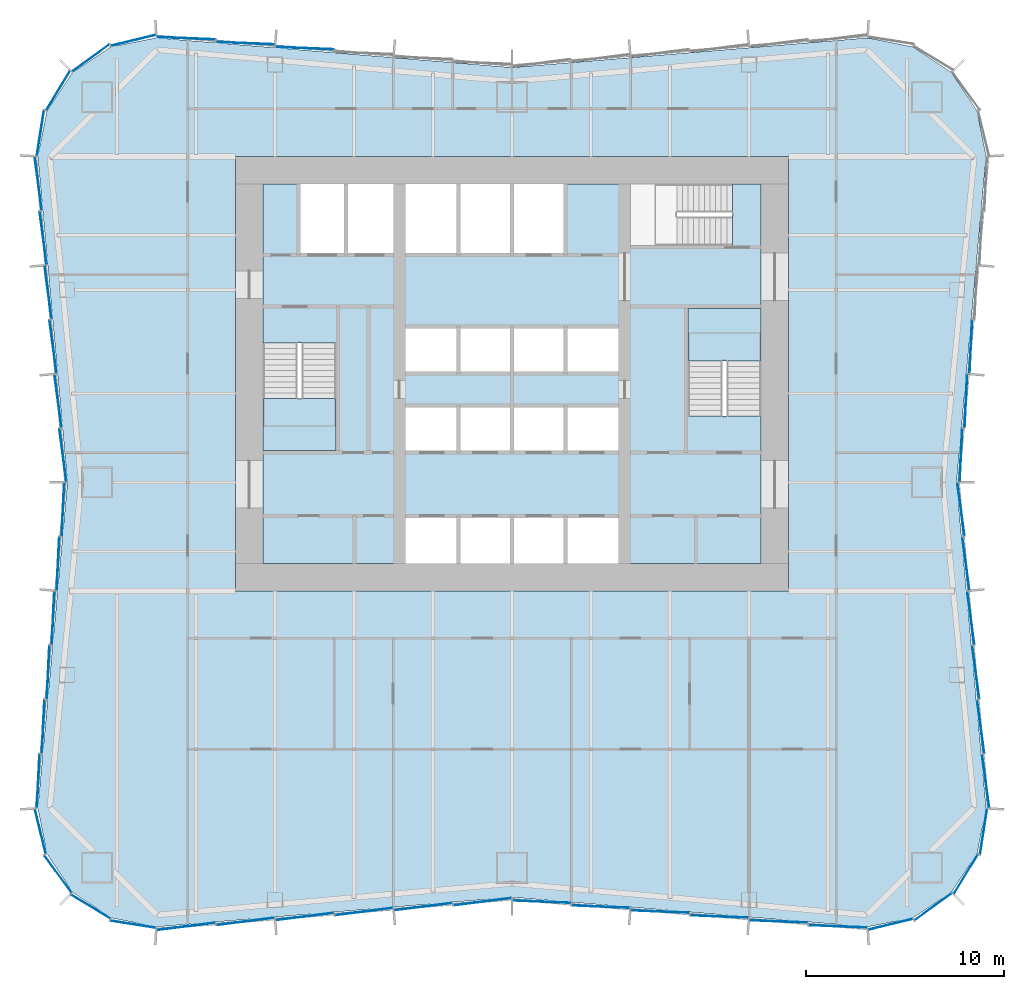
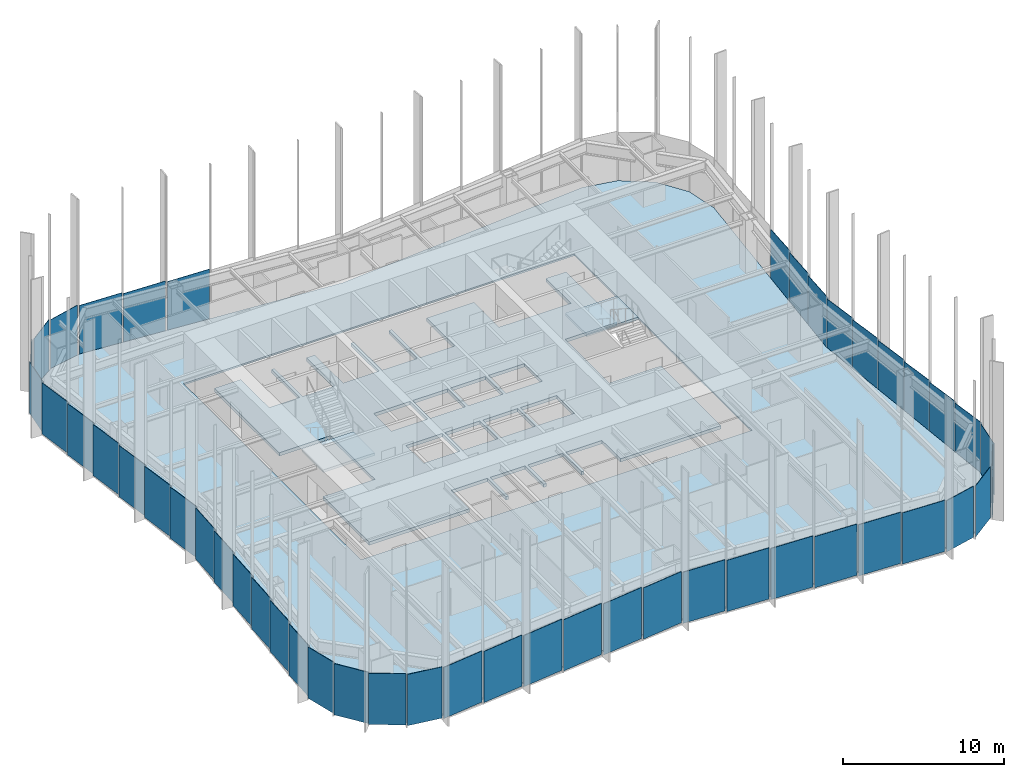
# One storey, part 8 of 13: 48 plates, 4 slabs, 9 elements without a shape of their own.
"""IFC4 building model written with IfcOpenShell, lengths in metres."""

import ifcopenshell
import ifcopenshell.guid

model = None  # the IFC model being written
_history = None  # IfcOwnerHistory: only IFC2X3 demands one
_inside = {}  # id of a spatial element -> (the spatial element, [elements in it])
_under = {}  # id of a project, library or spatial element -> (it, [spatial elements below it])
_declared = {}  # id of a project -> (the project, [libraries it declares])
_typed = {}  # id of a type object -> (the type object, [elements of that type])
_made_of = {}  # id of a material, layer set ... -> (it, [elements and type objects made of it])


def new_model(schema):
    """Start an empty IFC model of exactly this schema.

    Asked for "IFC4X3", IfcOpenShell would pick the latest addendum, in which some entities
    have other attributes; the version numbers below select the first issue.
    IFC2X3 requires an IfcOwnerHistory on every rooted entity: one is made here for all.
    """
    global model, _history
    if schema == "IFC4X3":
        model = ifcopenshell.file(schema_version=(4, 3, 0, 0))
    else:
        model = ifcopenshell.file(schema=schema)
    _inside.clear()
    _under.clear()
    _declared.clear()
    _typed.clear()
    _made_of.clear()
    _history = None
    if model.schema == "IFC2X3":
        org = make("IfcOrganization", Name="unknown")
        user = make(
            "IfcPersonAndOrganization",
            ThePerson=make("IfcPerson", FamilyName="unknown"),
            TheOrganization=org,
        )
        app = make(
            "IfcApplication",
            ApplicationDeveloper=org,
            Version="unknown",
            ApplicationFullName="unknown",
            ApplicationIdentifier="unknown",
        )
        _history = make(
            "IfcOwnerHistory",
            OwningUser=user,
            OwningApplication=app,
            ChangeAction="ADDED",
            CreationDate=0,
        )
    return model


def make(cls, **values):
    """One entity of the class cls with the attributes given. An attribute that is None is left unset."""
    return model.create_entity(
        cls, **{name: value for name, value in values.items() if value is not None}
    )


def rooted(cls, **values):
    """An entity with a GlobalId (a new one), such as an element, a storey or a relation."""
    return make(cls, GlobalId=ifcopenshell.guid.new(), OwnerHistory=_history, **values)


def si_unit(unit_type, name, prefix=None):
    """IfcSIUnit, for example si_unit("LENGTHUNIT", "METRE", prefix="MILLI")."""
    return make("IfcSIUnit", UnitType=unit_type, Prefix=prefix, Name=name)


def assignment(units):
    """IfcUnitAssignment: the units of a project."""
    return None if units is None else make("IfcUnitAssignment", Units=units)


def point(xyz):
    """IfcCartesianPoint."""
    return None if xyz is None else make("IfcCartesianPoint", Coordinates=xyz)


def direction(xyz):
    """IfcDirection."""
    return None if xyz is None else make("IfcDirection", DirectionRatios=xyz)


def frame(location, z_axis=None, x_axis=None):
    """IfcAxis2Placement3D, a coordinate frame: its origin and axes. An axis left out is left unset."""
    return make(
        "IfcAxis2Placement3D",
        Location=point(location),
        Axis=direction(z_axis),
        RefDirection=direction(x_axis),
    )


def frame_2d(location, x_axis=None):
    """IfcAxis2Placement2D, a coordinate frame in the plane: its origin and x axis."""
    return make(
        "IfcAxis2Placement2D", Location=point(location), RefDirection=direction(x_axis)
    )


def origin():
    """The frame at (0, 0, 0) with its axes left unset."""
    return frame((0.0, 0.0, 0.0))


def origin_2d():
    """The frame at (0, 0) in the plane with its x axis left unset."""
    return frame_2d((0.0, 0.0))


def place(relative_to, where):
    """IfcLocalPlacement: puts the frame where relative to a parent placement (None: the world)."""
    return make(
        "IfcLocalPlacement", PlacementRelTo=relative_to, RelativePlacement=where
    )


def context(
    kind, dimensions, precision=None, world=None, true_north=None, identifier=None
):
    """IfcGeometricRepresentationContext, for example the 3D "Model" context."""
    return make(
        "IfcGeometricRepresentationContext",
        ContextIdentifier=identifier,
        ContextType=kind,
        CoordinateSpaceDimension=dimensions,
        Precision=precision,
        WorldCoordinateSystem=world,
        TrueNorth=true_north,
    )


def subcontext(parent, identifier, kind, view, scale=None):
    """IfcGeometricRepresentationSubContext, for example "Body" below "Model"."""
    return make(
        "IfcGeometricRepresentationSubContext",
        ContextIdentifier=identifier,
        ContextType=kind,
        ParentContext=parent,
        TargetScale=scale,
        TargetView=view,
    )


def project(units=None, contexts=None):
    """IfcProject with its units and contexts."""
    return rooted(
        "IfcProject",
        Name="project",
        RepresentationContexts=contexts,
        UnitsInContext=assignment(units),
    )


def spatial(cls, under=None, at=None, **own):
    """A site, building, storey or space (cls), placed at a placement, below another one or the project."""
    s = rooted(cls, ObjectPlacement=at, **own)
    if under is not None:
        _under.setdefault(under.id(), (under, []))[1].append(s)
    return s


def polyline(points):
    """IfcPolyline through the points."""
    return make("IfcPolyline", Points=[point(p) for p in points])


def profile(cls, at=None, kind="AREA", **sizes):
    """A parametric profile (cls). Its sizes go by their IFC names, for example OverallWidth=200.0."""
    return make(cls, ProfileType=kind, Position=at, **sizes)


def rectangle(**sizes):
    """IfcRectangleProfileDef."""
    return profile("IfcRectangleProfileDef", **sizes)


def outline(outer, holes=None, kind="AREA"):
    """IfcArbitraryClosedProfileDef: a profile drawn as a closed curve; with holes, ...WithVoids."""
    if holes is None:
        return make("IfcArbitraryClosedProfileDef", ProfileType=kind, OuterCurve=outer)
    return make(
        "IfcArbitraryProfileDefWithVoids",
        ProfileType=kind,
        OuterCurve=outer,
        InnerCurves=holes,
    )


def extrude(swept, where, along, depth):
    """IfcExtrudedAreaSolid: the profile swept, set in the frame where, extruded along a direction by depth."""
    return make(
        "IfcExtrudedAreaSolid",
        SweptArea=swept,
        Position=where,
        ExtrudedDirection=direction(along),
        Depth=depth,
    )


def shape(context_of_items, identifier, shape_type, items):
    """IfcShapeRepresentation: the items that make up one representation, for example the "Body"."""
    return make(
        "IfcShapeRepresentation",
        ContextOfItems=context_of_items,
        RepresentationIdentifier=identifier,
        RepresentationType=shape_type,
        Items=items,
    )


def material(Name=None, Category=None):
    """IfcMaterial."""
    return make("IfcMaterial", Name=Name, Category=Category)


def layer(
    of_material, thickness, ventilated=None, Name=None, Category=None, Priority=None
):
    """IfcMaterialLayer: one layer of a wall or slab, of a material (None: an air gap)."""
    return make(
        "IfcMaterialLayer",
        Material=of_material,
        LayerThickness=thickness,
        IsVentilated=ventilated,
        Name=Name,
        Category=Category,
        Priority=Priority,
    )


def layer_set(layers, Name=None):
    """IfcMaterialLayerSet."""
    return make("IfcMaterialLayerSet", MaterialLayers=layers, LayerSetName=Name)


def made_of(thing, what):
    """Note that an element or type object is made of a material, layer set ...; save() writes the relation."""
    if what is not None:
        _made_of.setdefault(what.id(), (what, []))[1].append(thing)
    return thing


def type_object(cls, material=None, **own):
    """A type object (cls), such as IfcWallType, which elements share."""
    return made_of(rooted(cls, **own), material)


def element(
    cls,
    number,
    at=None,
    inside=None,
    cuts=None,
    type_object=None,
    material=None,
    context=None,
    identifier="Body",
    shape_type=None,
    held_by="IfcProductDefinitionShape",
    body=None,
    shapes=None,
    **own,
):
    """One element of the class cls, such as IfcWall. Its Tag is "e" and its number.

    at: its placement. inside: the storey or other place that contains it. cuts: it is an
    opening in that element (IfcRelVoidsElement). A single representation is given by context,
    identifier, shape_type and body (its items); several are given by shapes. held_by: the class
    of the entity that holds the representations. save() writes the other relations.
    """
    e = rooted(cls, Tag="e%d" % number, ObjectPlacement=at, **own)
    if body is not None:
        shapes = [shape(context, identifier, shape_type, body)]
    if shapes is not None:
        e.Representation = make(held_by, Representations=shapes)
    if inside is not None:
        _inside.setdefault(inside.id(), (inside, []))[1].append(e)
    if cuts is not None:
        rooted(
            "IfcRelVoidsElement", RelatingBuildingElement=cuts, RelatedOpeningElement=e
        )
    if type_object is not None:
        _typed.setdefault(type_object.id(), (type_object, []))[1].append(e)
    return made_of(e, material)


def aggregate(whole, parts):
    """IfcRelAggregates: a whole, such as a stair, and the parts it consists of."""
    return rooted("IfcRelAggregates", RelatingObject=whole, RelatedObjects=parts)


def save(model, path):
    """Write the relations noted so far, then the file.

    IfcRelAggregates (storeys below a building ...), IfcRelContainedInSpatialStructure (elements
    in a storey), IfcRelDefinesByType, IfcRelAssociatesMaterial and IfcRelDeclares: one each for
    every whole, place, type object, material and project.
    """
    for whole, parts in _under.values():
        aggregate(whole, parts)
    for where, things in _inside.values():
        rooted(
            "IfcRelContainedInSpatialStructure",
            RelatedElements=things,
            RelatingStructure=where,
        )
    for kind, things in _typed.values():
        rooted("IfcRelDefinesByType", RelatedObjects=things, RelatingType=kind)
    for what, things in _made_of.values():
        rooted("IfcRelAssociatesMaterial", RelatedObjects=things, RelatingMaterial=what)
    for by, libraries in _declared.values():
        rooted("IfcRelDeclares", RelatingContext=by, RelatedDefinitions=libraries)
    model.write(path)


model = new_model("IFC4")

# Units and contexts
model_context = context("Model", 3, precision=1e-05, world=origin(), true_north=direction((0.0, 1.0)))
body_context = subcontext(model_context, "Body", "Model", "MODEL_VIEW")
ifc_project = project(units=[si_unit("LENGTHUNIT", "METRE"), si_unit("AREAUNIT", "SQUARE_METRE"), si_unit("VOLUMEUNIT", "CUBIC_METRE"), si_unit("PLANEANGLEUNIT", "RADIAN"), si_unit("MASSUNIT", "GRAM", prefix="KILO")], contexts=[model_context])

# Site, building, storey
site_placement = place(None, origin())
site = spatial("IfcSite", under=ifc_project, at=site_placement, CompositionType="ELEMENT")
building_placement = place(site_placement, origin())
building = spatial("IfcBuilding", under=site, at=building_placement, Name="Verdant Reach Tower", CompositionType="ELEMENT")
storey_placement = place(building_placement, frame((0.0, 0.0, 38.0)))
storey = spatial("IfcBuildingStorey", under=building, at=storey_placement, Name="L08", CompositionType="ELEMENT", Elevation=38.0)

# Stair, slab
ifc_material_1 = material(Name="Concrete C40/50", Category="concrete")
stair_type = type_object("IfcStairType", Name="CO-STAIR", PredefinedType="HALF_TURN_STAIR", material=ifc_material_1)
stair_1_placement = place(storey_placement, origin())
stair_1 = element("IfcStair", 1, at=stair_1_placement, inside=storey, type_object=stair_type, Name="L08 Exit stair 1", PredefinedType="HALF_TURN_STAIR")
ifc_layer_1 = layer(ifc_material_1, 0.199951171875)
ifc_layer_set_1 = layer_set([ifc_layer_1], Name="CO-STAIR-LANDING")
slab_type_1 = type_object("IfcSlabType", Name="CO-STAIR-LANDING", PredefinedType="LANDING", material=ifc_layer_set_1)
slab_1_placement = place(storey_placement, frame((0.0, 0.0, 1.800048828125)))
slab_1 = element("IfcSlab", 2, at=slab_1_placement, type_object=slab_type_1, Name="ST-1 landing 1", PredefinedType="LANDING", context=body_context, shape_type="SweptSolid", body=[
    extrude(outline(polyline([(-12.60009765625, 26.75), (-12.60009765625, 24.10009765625), (-8.89990234375, 24.10009765625), (-8.89990234375, 26.75), (-12.60009765625, 26.75)])), origin(), (0.0, 0.0, 1.0), 0.199951171875),
])
aggregate(stair_1, [slab_1])

stair_2_placement = place(storey_placement, origin())
stair_2 = element("IfcStair", 3, at=stair_2_placement, inside=storey, type_object=stair_type, Name="L08 Exit stair 2", PredefinedType="HALF_TURN_STAIR")
slab_2_placement = place(storey_placement, frame((0.0, 0.0, 1.800048828125)))
slab_2 = element("IfcSlab", 4, at=slab_2_placement, type_object=slab_type_1, Name="ST-2 landing 1", PredefinedType="LANDING", context=body_context, shape_type="SweptSolid", body=[
    extrude(outline(polyline([(12.60009765625, 28.64990234375), (12.60009765625, 31.300048828125), (8.89990234375, 31.300048828125), (8.89990234375, 28.64990234375), (12.60009765625, 28.64990234375)])), origin(), (0.0, 0.0, 1.0), 0.199951171875),
])
aggregate(stair_2, [slab_2])

# Curtain wall, plates
ifc_material_2 = material(Name="Anodised aluminium", Category="aluminium")
curtain_wall_type = type_object("IfcCurtainWallType", Name="EN-CW SYSTEM Z0", PredefinedType="NOTDEFINED", material=ifc_material_2)
curtain_wall_1_placement = place(storey_placement, origin())
curtain_wall_1 = element("IfcCurtainWall", 5, at=curtain_wall_1_placement, inside=storey, type_object=curtain_wall_type, Name="Curtain wall south-east corner, L08", PredefinedType="NOTDEFINED")
ifc_material_3 = material(Name="Tinted glass with champagne spandrel", Category="glass")
ifc_layer_2 = layer(ifc_material_3, 0.031982421875)
ifc_layer_set_2 = layer_set([ifc_layer_2], Name="EN-PANEL CHAMPAGNE")
plate_type_1 = type_object("IfcPlateType", Name="EN-PANEL CHAMPAGNE", PredefinedType="CURTAIN_PANEL", material=ifc_layer_set_2)
plate_1_placement = place(storey_placement, frame((21.32373046875, 1.025390625, -0.22998046875), z_axis=(0.0, 0.0, 1.0), x_axis=(0.807456745624, 0.589926778461, 0.0)))
plate_1 = element("IfcPlate", 6, at=plate_1_placement, type_object=plate_type_1, Name="Glass panel south-east corner 2.1, L08", PredefinedType="CURTAIN_PANEL", context=body_context, shape_type="SweptSolid", body=[
    extrude(rectangle(XDim=2.32421875, YDim=0.031982421875, at=origin_2d()), origin(), (0.0, 0.0, 1.0), 3.8798828125),
])
plate_2_placement = place(storey_placement, frame((22.974609375, 2.67626953125, -0.22998046875), z_axis=(0.0, 0.0, 1.0), x_axis=(0.520291583159, 0.853988681713, 0.0)))
plate_2 = element("IfcPlate", 7, at=plate_2_placement, type_object=plate_type_1, Name="Glass panel south-east corner 3.1, L08", PredefinedType="CURTAIN_PANEL", context=body_context, shape_type="SweptSolid", body=[
    extrude(rectangle(XDim=2.32421875, YDim=0.031982421875, at=origin_2d()), origin(), (0.0, 0.0, 1.0), 3.8798828125),
])

curtain_wall_2_placement = place(storey_placement, origin())
curtain_wall_2 = element("IfcCurtainWall", 8, at=curtain_wall_2_placement, inside=storey, type_object=curtain_wall_type, Name="Curtain wall east, L08", PredefinedType="NOTDEFINED")
plate_3_placement = place(storey_placement, frame((23.974609375, 7.376953125, -0.22998046875), z_axis=(0.0, 0.0, 1.0), x_axis=(-0.131792939527, 0.991277267514, 0.0)))
plate_3 = element("IfcPlate", 9, at=plate_3_placement, type_object=plate_type_1, Name="Glass panel east face part 1 1.1, L08", PredefinedType="CURTAIN_PANEL", context=body_context, shape_type="SweptSolid", body=[
    extrude(rectangle(XDim=2.7197265625, YDim=0.031982421875, at=origin_2d()), origin(), (0.0, 0.0, 1.0), 3.8798828125),
])
plate_4_placement = place(storey_placement, frame((23.724609375, 10.134033203125, -0.22998046875), z_axis=(0.0, 0.0, 1.0), x_axis=(-0.132160009881, 0.99122839537, 0.0)))
plate_4 = element("IfcPlate", 10, at=plate_4_placement, type_object=plate_type_1, Name="Glass panel east face part 1 2.1, L08", PredefinedType="CURTAIN_PANEL", context=body_context, shape_type="SweptSolid", body=[
    extrude(rectangle(XDim=2.705322265625, YDim=0.031982421875, at=origin_2d()), origin(), (0.0, 0.0, 1.0), 3.8798828125),
])
plate_5_placement = place(storey_placement, frame((22.974609375, 26.615966796875, -0.22998046875), z_axis=(0.0, 0.0, 1.0), x_axis=(0.04875265175, 0.998810882473, 0.0)))
plate_5 = element("IfcPlate", 11, at=plate_5_placement, type_object=plate_type_1, Name="Glass panel east face part 2 2.1, L08", PredefinedType="CURTAIN_PANEL", context=body_context, shape_type="SweptSolid", body=[
    extrude(rectangle(XDim=2.705322265625, YDim=0.031982421875, at=origin_2d()), origin(), (0.0, 0.0, 1.0), 3.8798828125),
])
plate_6_placement = place(storey_placement, frame((23.224609375, 29.365966796875, -0.22998046875), z_axis=(0.0, 0.0, 1.0), x_axis=(0.04875265175, 0.998810882473, 0.0)))
plate_6 = element("IfcPlate", 12, at=plate_6_placement, type_object=plate_type_1, Name="Glass panel east face part 2 3.1, L08", PredefinedType="CURTAIN_PANEL", context=body_context, shape_type="SweptSolid", body=[
    extrude(rectangle(XDim=2.705322265625, YDim=0.031982421875, at=origin_2d()), origin(), (0.0, 0.0, 1.0), 3.8798828125),
])

curtain_wall_3_placement = place(storey_placement, origin())
curtain_wall_3 = element("IfcCurtainWall", 13, at=curtain_wall_3_placement, inside=storey, type_object=curtain_wall_type, Name="Curtain wall west, L08", PredefinedType="NOTDEFINED")
plate_7_placement = place(storey_placement, frame((-23.224609375, 29.365966796875, -0.22998046875), z_axis=(0.0, 0.0, 1.0), x_axis=(0.132160009881, -0.99122839537, 0.0)))
plate_7 = element("IfcPlate", 14, at=plate_7_placement, type_object=plate_type_1, Name="Glass panel west face part 1 4.1, L08", PredefinedType="CURTAIN_PANEL", context=body_context, shape_type="SweptSolid", body=[
    extrude(rectangle(XDim=2.705322265625, YDim=0.031982421875, at=origin_2d()), origin(), (0.0, 0.0, 1.0), 3.8798828125),
])
plate_8_placement = place(storey_placement, frame((-22.974609375, 26.615966796875, -0.22998046875), z_axis=(0.0, 0.0, 1.0), x_axis=(0.132160009881, -0.99122839537, 0.0)))
plate_8 = element("IfcPlate", 15, at=plate_8_placement, type_object=plate_type_1, Name="Glass panel west face part 1 5.1, L08", PredefinedType="CURTAIN_PANEL", context=body_context, shape_type="SweptSolid", body=[
    extrude(rectangle(XDim=2.705322265625, YDim=0.031982421875, at=origin_2d()), origin(), (0.0, 0.0, 1.0), 3.8798828125),
])
plate_9_placement = place(storey_placement, frame((-22.724853515625, 23.870361328125, -0.22998046875), z_axis=(0.0, 0.0, 1.0), x_axis=(0.132307913434, -0.991208664229, 0.0)))
plate_9 = element("IfcPlate", 16, at=plate_9_placement, type_object=plate_type_1, Name="Glass panel west face part 1 6.1, L08", PredefinedType="CURTAIN_PANEL", context=body_context, shape_type="SweptSolid", body=[
    extrude(rectangle(XDim=2.6962890625, YDim=0.031982421875, at=origin_2d()), origin(), (0.0, 0.0, 1.0), 3.8798828125),
])
plate_10_placement = place(storey_placement, frame((-23.974609375, 7.376953125, -0.22998046875), z_axis=(0.0, 0.0, 1.0), x_axis=(-0.048382779248, -0.998828867561, 0.0)))
plate_10 = element("IfcPlate", 17, at=plate_10_placement, type_object=plate_type_1, Name="Glass panel west face part 2 6.1, L08", PredefinedType="CURTAIN_PANEL", context=body_context, shape_type="SweptSolid", body=[
    extrude(rectangle(XDim=2.7197265625, YDim=0.031982421875, at=origin_2d()), origin(), (0.0, 0.0, 1.0), 3.8798828125),
])

# Curtain wall, plate
curtain_wall_4_placement = place(storey_placement, origin())
curtain_wall_4 = element("IfcCurtainWall", 18, at=curtain_wall_4_placement, inside=storey, type_object=curtain_wall_type, Name="Curtain wall south-west corner, L08", PredefinedType="NOTDEFINED")
plate_11_placement = place(storey_placement, frame((-19.169921875, 0.13232421875, -0.22998046875), z_axis=(0.0, 0.0, 1.0), x_axis=(0.98803452381, -0.154232875093, 0.0)))
plate_11 = element("IfcPlate", 19, at=plate_11_placement, type_object=plate_type_1, Name="Glass panel south-west corner 4.1, L08", PredefinedType="CURTAIN_PANEL", context=body_context, shape_type="SweptSolid", body=[
    extrude(rectangle(XDim=2.318603515625, YDim=0.031982421875, at=origin_2d()), origin(), (0.0, 0.0, 1.0), 3.8798828125),
])

# Curtain wall, plates
curtain_wall_5_placement = place(storey_placement, origin())
curtain_wall_5 = element("IfcCurtainWall", 20, at=curtain_wall_5_placement, inside=storey, type_object=curtain_wall_type, Name="Curtain wall south, L08", PredefinedType="NOTDEFINED")
plate_12_placement = place(storey_placement, frame((-13.49169921875, 0.275390625, -0.22998046875), z_axis=(0.0, 0.0, 1.0), x_axis=(0.992194034542, 0.124703639961, 0.0)))
plate_12 = element("IfcPlate", 21, at=plate_12_placement, type_object=plate_type_1, Name="Glass panel south face part 1 2.1, L08", PredefinedType="CURTAIN_PANEL", context=body_context, shape_type="SweptSolid", body=[
    extrude(rectangle(XDim=2.954345703125, YDim=0.031982421875, at=origin_2d()), origin(), (0.0, 0.0, 1.0), 3.8798828125),
])
plate_13_placement = place(storey_placement, frame((-10.49169921875, 0.525390625, -0.22998046875), z_axis=(0.0, 0.0, 1.0), x_axis=(0.992194034542, 0.124703639961, 0.0)))
plate_13 = element("IfcPlate", 22, at=plate_13_placement, type_object=plate_type_1, Name="Glass panel south face part 1 3.1, L08", PredefinedType="CURTAIN_PANEL", context=body_context, shape_type="SweptSolid", body=[
    extrude(rectangle(XDim=2.954345703125, YDim=0.031982421875, at=origin_2d()), origin(), (0.0, 0.0, 1.0), 3.8798828125),
])
plate_14_placement = place(storey_placement, frame((7.49169921875, 0.775390625, -0.22998046875), z_axis=(0.0, 0.0, 1.0), x_axis=(0.999149202059, -0.041241629766, 0.0)))
plate_14 = element("IfcPlate", 23, at=plate_14_placement, type_object=plate_type_1, Name="Glass panel south face part 2 3.1, L08", PredefinedType="CURTAIN_PANEL", context=body_context, shape_type="SweptSolid", body=[
    extrude(rectangle(XDim=2.954345703125, YDim=0.031982421875, at=origin_2d()), origin(), (0.0, 0.0, 1.0), 3.8798828125),
])
plate_15_placement = place(storey_placement, frame((10.49169921875, 0.525390625, -0.22998046875), z_axis=(0.0, 0.0, 1.0), x_axis=(0.999149202059, -0.041241629766, 0.0)))
plate_15 = element("IfcPlate", 24, at=plate_15_placement, type_object=plate_type_1, Name="Glass panel south face part 2 4.1, L08", PredefinedType="CURTAIN_PANEL", context=body_context, shape_type="SweptSolid", body=[
    extrude(rectangle(XDim=2.954345703125, YDim=0.031982421875, at=origin_2d()), origin(), (0.0, 0.0, 1.0), 3.8798828125),
])
plate_16_placement = place(storey_placement, frame((13.49169921875, 0.275390625, -0.22998046875), z_axis=(0.0, 0.0, 1.0), x_axis=(0.999149202059, -0.041241629766, 0.0)))
plate_16 = element("IfcPlate", 25, at=plate_16_placement, type_object=plate_type_1, Name="Glass panel south face part 2 5.1, L08", PredefinedType="CURTAIN_PANEL", context=body_context, shape_type="SweptSolid", body=[
    extrude(rectangle(XDim=2.954345703125, YDim=0.031982421875, at=origin_2d()), origin(), (0.0, 0.0, 1.0), 3.8798828125),
])

# Plate
ifc_material_4 = material(Name="Tinted glass with copper spandrel", Category="glass")
ifc_layer_3 = layer(ifc_material_4, 0.031982421875)
ifc_layer_set_3 = layer_set([ifc_layer_3], Name="EN-PANEL COPPER")
plate_type_2 = type_object("IfcPlateType", Name="EN-PANEL COPPER", PredefinedType="CURTAIN_PANEL", material=ifc_layer_set_3)
plate_17_placement = place(storey_placement, frame((23.86767578125, 4.830078125, -0.22998046875), z_axis=(0.0, 0.0, 1.0), x_axis=(0.154210737778, 0.988037979206, 0.0)))
plate_17 = element("IfcPlate", 26, at=plate_17_placement, type_object=plate_type_2, Name="Glass panel south-east corner 4.1, L08", PredefinedType="CURTAIN_PANEL", context=body_context, shape_type="SweptSolid", body=[
    extrude(rectangle(XDim=2.31884765625, YDim=0.031982421875, at=origin_2d()), origin(), (0.0, 0.0, 1.0), 3.8798828125),
])

plate_18_placement = place(storey_placement, frame((23.474609375, 12.884033203125, -0.22998046875), z_axis=(0.0, 0.0, 1.0), x_axis=(-0.132160009881, 0.99122839537, 0.0)))
plate_18 = element("IfcPlate", 27, at=plate_18_placement, type_object=plate_type_2, Name="Glass panel east face part 1 3.1, L08", PredefinedType="CURTAIN_PANEL", context=body_context, shape_type="SweptSolid", body=[
    extrude(rectangle(XDim=2.705322265625, YDim=0.031982421875, at=origin_2d()), origin(), (0.0, 0.0, 1.0), 3.8798828125),
])

plate_19_placement = place(storey_placement, frame((23.224609375, 15.634033203125, -0.22998046875), z_axis=(0.0, 0.0, 1.0), x_axis=(-0.132160009881, 0.99122839537, 0.0)))
plate_19 = element("IfcPlate", 28, at=plate_19_placement, type_object=plate_type_2, Name="Glass panel east face part 1 4.1, L08", PredefinedType="CURTAIN_PANEL", context=body_context, shape_type="SweptSolid", body=[
    extrude(rectangle(XDim=2.705322265625, YDim=0.031982421875, at=origin_2d()), origin(), (0.0, 0.0, 1.0), 3.8798828125),
])

# Curtain wall, plate
curtain_wall_6_placement = place(storey_placement, origin())
curtain_wall_6 = element("IfcCurtainWall", 29, at=curtain_wall_6_placement, inside=storey, type_object=curtain_wall_type, Name="Curtain wall north, L08", PredefinedType="NOTDEFINED")
plate_20_placement = place(storey_placement, frame((-10.49169921875, 44.474609375, -0.22998046875), z_axis=(0.0, 0.0, 1.0), x_axis=(-0.999149202059, 0.041241629766, 0.0)))
plate_20 = element("IfcPlate", 30, at=plate_20_placement, type_object=plate_type_2, Name="Glass panel north face part 2 4.1, L08", PredefinedType="CURTAIN_PANEL", context=body_context, shape_type="SweptSolid", body=[
    extrude(rectangle(XDim=2.954345703125, YDim=0.031982421875, at=origin_2d()), origin(), (0.0, 0.0, 1.0), 3.8798828125),
])

# Curtain wall, plates
curtain_wall_7_placement = place(storey_placement, origin())
curtain_wall_7 = element("IfcCurtainWall", 31, at=curtain_wall_7_placement, inside=storey, type_object=curtain_wall_type, Name="Curtain wall north-west corner, L08", PredefinedType="NOTDEFINED")
plate_21_placement = place(storey_placement, frame((-19.169921875, 44.86767578125, -0.22998046875), z_axis=(0.0, 0.0, 1.0), x_axis=(-0.97166347331, -0.236368556782, 0.0)))
plate_21 = element("IfcPlate", 32, at=plate_21_placement, type_object=plate_type_2, Name="Glass panel north-west corner 1.1, L08", PredefinedType="CURTAIN_PANEL", context=body_context, shape_type="SweptSolid", body=[
    extrude(rectangle(XDim=2.318603515625, YDim=0.031982421875, at=origin_2d()), origin(), (0.0, 0.0, 1.0), 3.8798828125),
])
plate_22_placement = place(storey_placement, frame((-21.32373046875, 43.974609375, -0.22998046875), z_axis=(0.0, 0.0, 1.0), x_axis=(-0.807456745624, -0.589926778461, 0.0)))
plate_22 = element("IfcPlate", 33, at=plate_22_placement, type_object=plate_type_2, Name="Glass panel north-west corner 2.1, L08", PredefinedType="CURTAIN_PANEL", context=body_context, shape_type="SweptSolid", body=[
    extrude(rectangle(XDim=2.32421875, YDim=0.031982421875, at=origin_2d()), origin(), (0.0, 0.0, 1.0), 3.8798828125),
])

# Plate
plate_23_placement = place(storey_placement, frame((-23.974609375, 37.623046875, -0.22998046875), z_axis=(0.0, 0.0, 1.0), x_axis=(0.131792939527, -0.991277267514, 0.0)))
plate_23 = element("IfcPlate", 34, at=plate_23_placement, type_object=plate_type_2, Name="Glass panel west face part 1 1.1, L08", PredefinedType="CURTAIN_PANEL", context=body_context, shape_type="SweptSolid", body=[
    extrude(rectangle(XDim=2.7197265625, YDim=0.031982421875, at=origin_2d()), origin(), (0.0, 0.0, 1.0), 3.8798828125),
])

plate_24_placement = place(storey_placement, frame((-22.724853515625, 21.129638671875, -0.22998046875), z_axis=(0.0, 0.0, 1.0), x_axis=(-0.048901687644, -0.998803596782, 0.0)))
plate_24 = element("IfcPlate", 35, at=plate_24_placement, type_object=plate_type_2, Name="Glass panel west face part 2 1.1, L08", PredefinedType="CURTAIN_PANEL", context=body_context, shape_type="SweptSolid", body=[
    extrude(rectangle(XDim=2.6962890625, YDim=0.031982421875, at=origin_2d()), origin(), (0.0, 0.0, 1.0), 3.8798828125),
])

plate_25_placement = place(storey_placement, frame((-22.974609375, 18.384033203125, -0.22998046875), z_axis=(0.0, 0.0, 1.0), x_axis=(-0.04875265175, -0.998810882473, 0.0)))
plate_25 = element("IfcPlate", 36, at=plate_25_placement, type_object=plate_type_2, Name="Glass panel west face part 2 2.1, L08", PredefinedType="CURTAIN_PANEL", context=body_context, shape_type="SweptSolid", body=[
    extrude(rectangle(XDim=2.705322265625, YDim=0.031982421875, at=origin_2d()), origin(), (0.0, 0.0, 1.0), 3.8798828125),
])

plate_26_placement = place(storey_placement, frame((-23.86767578125, 4.830078125, -0.22998046875), z_axis=(0.0, 0.0, 1.0), x_axis=(0.236346786246, -0.97166876899, 0.0)))
plate_26 = element("IfcPlate", 37, at=plate_26_placement, type_object=plate_type_2, Name="Glass panel south-west corner 1.1, L08", PredefinedType="CURTAIN_PANEL", context=body_context, shape_type="SweptSolid", body=[
    extrude(rectangle(XDim=2.31884765625, YDim=0.031982421875, at=origin_2d()), origin(), (0.0, 0.0, 1.0), 3.8798828125),
])

plate_27_placement = place(storey_placement, frame((-7.49169921875, 0.775390625, -0.22998046875), z_axis=(0.0, 0.0, 1.0), x_axis=(0.992194034542, 0.124703639961, 0.0)))
plate_27 = element("IfcPlate", 38, at=plate_27_placement, type_object=plate_type_2, Name="Glass panel south face part 1 4.1, L08", PredefinedType="CURTAIN_PANEL", context=body_context, shape_type="SweptSolid", body=[
    extrude(rectangle(XDim=2.954345703125, YDim=0.031982421875, at=origin_2d()), origin(), (0.0, 0.0, 1.0), 3.8798828125),
])

plate_28_placement = place(storey_placement, frame((-4.49169921875, 1.025390625, -0.22998046875), z_axis=(0.0, 0.0, 1.0), x_axis=(0.992194034542, 0.124703639961, 0.0)))
plate_28 = element("IfcPlate", 39, at=plate_28_placement, type_object=plate_type_2, Name="Glass panel south face part 1 5.1, L08", PredefinedType="CURTAIN_PANEL", context=body_context, shape_type="SweptSolid", body=[
    extrude(rectangle(XDim=2.954345703125, YDim=0.031982421875, at=origin_2d()), origin(), (0.0, 0.0, 1.0), 3.8798828125),
])

plate_29_placement = place(storey_placement, frame((-1.495849609375, 1.275146484375, -0.22998046875), z_axis=(0.0, 0.0, 1.0), x_axis=(0.992179679439, 0.124817802047, 0.0)))
plate_29 = element("IfcPlate", 40, at=plate_29_placement, type_object=plate_type_2, Name="Glass panel south face part 1 6.1, L08", PredefinedType="CURTAIN_PANEL", context=body_context, shape_type="SweptSolid", body=[
    extrude(rectangle(XDim=2.946044921875, YDim=0.031982421875, at=origin_2d()), origin(), (0.0, 0.0, 1.0), 3.8798828125),
])

plate_30_placement = place(storey_placement, frame((16.498779296875, 0.025146484375, -0.22998046875), z_axis=(0.0, 0.0, 1.0), x_axis=(0.999162442933, -0.040919587398, 0.0)))
plate_30 = element("IfcPlate", 41, at=plate_30_placement, type_object=plate_type_2, Name="Glass panel south face part 2 6.1, L08", PredefinedType="CURTAIN_PANEL", context=body_context, shape_type="SweptSolid", body=[
    extrude(rectangle(XDim=2.96826171875, YDim=0.031982421875, at=origin_2d()), origin(), (0.0, 0.0, 1.0), 3.8798828125),
])

ifc_material_5 = material(Name="Tinted glass with dark bronze spandrel", Category="glass")
ifc_layer_4 = layer(ifc_material_5, 0.031982421875)
ifc_layer_set_4 = layer_set([ifc_layer_4], Name="EN-PANEL DARK")
plate_type_3 = type_object("IfcPlateType", Name="EN-PANEL DARK", PredefinedType="CURTAIN_PANEL", material=ifc_layer_set_4)
plate_31_placement = place(storey_placement, frame((19.169921875, 0.13232421875, -0.22998046875), z_axis=(0.0, 0.0, 1.0), x_axis=(0.97166347331, 0.236368556782, 0.0)))
plate_31 = element("IfcPlate", 42, at=plate_31_placement, type_object=plate_type_3, Name="Glass panel south-east corner 1.1, L08", PredefinedType="CURTAIN_PANEL", context=body_context, shape_type="SweptSolid", body=[
    extrude(rectangle(XDim=2.318603515625, YDim=0.031982421875, at=origin_2d()), origin(), (0.0, 0.0, 1.0), 3.8798828125),
])

aggregate(curtain_wall_1, [plate_31, plate_1, plate_2, plate_17])

plate_32_placement = place(storey_placement, frame((22.974609375, 18.384033203125, -0.22998046875), z_axis=(0.0, 0.0, 1.0), x_axis=(-0.132160009881, 0.99122839537, 0.0)))
plate_32 = element("IfcPlate", 43, at=plate_32_placement, type_object=plate_type_3, Name="Glass panel east face part 1 5.1, L08", PredefinedType="CURTAIN_PANEL", context=body_context, shape_type="SweptSolid", body=[
    extrude(rectangle(XDim=2.705322265625, YDim=0.031982421875, at=origin_2d()), origin(), (0.0, 0.0, 1.0), 3.8798828125),
])

plate_33_placement = place(storey_placement, frame((22.724853515625, 21.129638671875, -0.22998046875), z_axis=(0.0, 0.0, 1.0), x_axis=(-0.132307913434, 0.991208664229, 0.0)))
plate_33 = element("IfcPlate", 44, at=plate_33_placement, type_object=plate_type_3, Name="Glass panel east face part 1 6.1, L08", PredefinedType="CURTAIN_PANEL", context=body_context, shape_type="SweptSolid", body=[
    extrude(rectangle(XDim=2.6962890625, YDim=0.031982421875, at=origin_2d()), origin(), (0.0, 0.0, 1.0), 3.8798828125),
])

plate_34_placement = place(storey_placement, frame((22.724853515625, 23.870361328125, -0.22998046875), z_axis=(0.0, 0.0, 1.0), x_axis=(0.048901687644, 0.998803596782, 0.0)))
plate_34 = element("IfcPlate", 45, at=plate_34_placement, type_object=plate_type_3, Name="Glass panel east face part 2 1.1, L08", PredefinedType="CURTAIN_PANEL", context=body_context, shape_type="SweptSolid", body=[
    extrude(rectangle(XDim=2.6962890625, YDim=0.031982421875, at=origin_2d()), origin(), (0.0, 0.0, 1.0), 3.8798828125),
])

aggregate(curtain_wall_2, [plate_3, plate_4, plate_18, plate_19, plate_32, plate_33, plate_34, plate_5, plate_6])

plate_35_placement = place(storey_placement, frame((-13.49169921875, 44.724609375, -0.22998046875), z_axis=(0.0, 0.0, 1.0), x_axis=(-0.999149202059, 0.041241629766, 0.0)))
plate_35 = element("IfcPlate", 46, at=plate_35_placement, type_object=plate_type_3, Name="Glass panel north face part 2 5.1, L08", PredefinedType="CURTAIN_PANEL", context=body_context, shape_type="SweptSolid", body=[
    extrude(rectangle(XDim=2.954345703125, YDim=0.031982421875, at=origin_2d()), origin(), (0.0, 0.0, 1.0), 3.8798828125),
])

plate_36_placement = place(storey_placement, frame((-16.498779296875, 44.974853515625, -0.22998046875), z_axis=(0.0, 0.0, 1.0), x_axis=(-0.999162442933, 0.040919587398, 0.0)))
plate_36 = element("IfcPlate", 47, at=plate_36_placement, type_object=plate_type_3, Name="Glass panel north face part 2 6.1, L08", PredefinedType="CURTAIN_PANEL", context=body_context, shape_type="SweptSolid", body=[
    extrude(rectangle(XDim=2.96826171875, YDim=0.031982421875, at=origin_2d()), origin(), (0.0, 0.0, 1.0), 3.8798828125),
])

aggregate(curtain_wall_6, [plate_20, plate_35, plate_36])

plate_37_placement = place(storey_placement, frame((-22.974609375, 42.32373046875, -0.22998046875), z_axis=(0.0, 0.0, 1.0), x_axis=(-0.520291583159, -0.853988681713, 0.0)))
plate_37 = element("IfcPlate", 48, at=plate_37_placement, type_object=plate_type_3, Name="Glass panel north-west corner 3.1, L08", PredefinedType="CURTAIN_PANEL", context=body_context, shape_type="SweptSolid", body=[
    extrude(rectangle(XDim=2.32421875, YDim=0.031982421875, at=origin_2d()), origin(), (0.0, 0.0, 1.0), 3.8798828125),
])

plate_38_placement = place(storey_placement, frame((-23.86767578125, 40.169921875, -0.22998046875), z_axis=(0.0, 0.0, 1.0), x_axis=(-0.154210737778, -0.988037979206, 0.0)))
plate_38 = element("IfcPlate", 49, at=plate_38_placement, type_object=plate_type_3, Name="Glass panel north-west corner 4.1, L08", PredefinedType="CURTAIN_PANEL", context=body_context, shape_type="SweptSolid", body=[
    extrude(rectangle(XDim=2.31884765625, YDim=0.031982421875, at=origin_2d()), origin(), (0.0, 0.0, 1.0), 3.8798828125),
])

aggregate(curtain_wall_7, [plate_21, plate_22, plate_37, plate_38])

plate_39_placement = place(storey_placement, frame((-23.724609375, 34.865966796875, -0.22998046875), z_axis=(0.0, 0.0, 1.0), x_axis=(0.132160009881, -0.99122839537, 0.0)))
plate_39 = element("IfcPlate", 50, at=plate_39_placement, type_object=plate_type_3, Name="Glass panel west face part 1 2.1, L08", PredefinedType="CURTAIN_PANEL", context=body_context, shape_type="SweptSolid", body=[
    extrude(rectangle(XDim=2.705322265625, YDim=0.031982421875, at=origin_2d()), origin(), (0.0, 0.0, 1.0), 3.8798828125),
])

plate_40_placement = place(storey_placement, frame((-23.474609375, 32.115966796875, -0.22998046875), z_axis=(0.0, 0.0, 1.0), x_axis=(0.132160009881, -0.99122839537, 0.0)))
plate_40 = element("IfcPlate", 51, at=plate_40_placement, type_object=plate_type_3, Name="Glass panel west face part 1 3.1, L08", PredefinedType="CURTAIN_PANEL", context=body_context, shape_type="SweptSolid", body=[
    extrude(rectangle(XDim=2.705322265625, YDim=0.031982421875, at=origin_2d()), origin(), (0.0, 0.0, 1.0), 3.8798828125),
])

plate_41_placement = place(storey_placement, frame((-23.224609375, 15.634033203125, -0.22998046875), z_axis=(0.0, 0.0, 1.0), x_axis=(-0.04875265175, -0.998810882473, 0.0)))
plate_41 = element("IfcPlate", 52, at=plate_41_placement, type_object=plate_type_3, Name="Glass panel west face part 2 3.1, L08", PredefinedType="CURTAIN_PANEL", context=body_context, shape_type="SweptSolid", body=[
    extrude(rectangle(XDim=2.705322265625, YDim=0.031982421875, at=origin_2d()), origin(), (0.0, 0.0, 1.0), 3.8798828125),
])

plate_42_placement = place(storey_placement, frame((-23.474609375, 12.884033203125, -0.22998046875), z_axis=(0.0, 0.0, 1.0), x_axis=(-0.04875265175, -0.998810882473, 0.0)))
plate_42 = element("IfcPlate", 53, at=plate_42_placement, type_object=plate_type_3, Name="Glass panel west face part 2 4.1, L08", PredefinedType="CURTAIN_PANEL", context=body_context, shape_type="SweptSolid", body=[
    extrude(rectangle(XDim=2.705322265625, YDim=0.031982421875, at=origin_2d()), origin(), (0.0, 0.0, 1.0), 3.8798828125),
])

plate_43_placement = place(storey_placement, frame((-23.724609375, 10.134033203125, -0.22998046875), z_axis=(0.0, 0.0, 1.0), x_axis=(-0.04875265175, -0.998810882473, 0.0)))
plate_43 = element("IfcPlate", 54, at=plate_43_placement, type_object=plate_type_3, Name="Glass panel west face part 2 5.1, L08", PredefinedType="CURTAIN_PANEL", context=body_context, shape_type="SweptSolid", body=[
    extrude(rectangle(XDim=2.705322265625, YDim=0.031982421875, at=origin_2d()), origin(), (0.0, 0.0, 1.0), 3.8798828125),
])

aggregate(curtain_wall_3, [plate_23, plate_39, plate_40, plate_7, plate_8, plate_9, plate_24, plate_25, plate_41, plate_42, plate_43, plate_10])

plate_44_placement = place(storey_placement, frame((-22.974609375, 2.67626953125, -0.22998046875), z_axis=(0.0, 0.0, 1.0), x_axis=(0.589926778461, -0.807456745624, 0.0)))
plate_44 = element("IfcPlate", 55, at=plate_44_placement, type_object=plate_type_3, Name="Glass panel south-west corner 2.1, L08", PredefinedType="CURTAIN_PANEL", context=body_context, shape_type="SweptSolid", body=[
    extrude(rectangle(XDim=2.32421875, YDim=0.031982421875, at=origin_2d()), origin(), (0.0, 0.0, 1.0), 3.8798828125),
])

plate_45_placement = place(storey_placement, frame((-21.32373046875, 1.025390625, -0.22998046875), z_axis=(0.0, 0.0, 1.0), x_axis=(0.853988681713, -0.520291583159, 0.0)))
plate_45 = element("IfcPlate", 56, at=plate_45_placement, type_object=plate_type_3, Name="Glass panel south-west corner 3.1, L08", PredefinedType="CURTAIN_PANEL", context=body_context, shape_type="SweptSolid", body=[
    extrude(rectangle(XDim=2.32421875, YDim=0.031982421875, at=origin_2d()), origin(), (0.0, 0.0, 1.0), 3.8798828125),
])

aggregate(curtain_wall_4, [plate_26, plate_44, plate_45, plate_11])

plate_46_placement = place(storey_placement, frame((-16.498779296875, 0.025146484375, -0.22998046875), z_axis=(0.0, 0.0, 1.0), x_axis=(0.992234176789, 0.124383835008, 0.0)))
plate_46 = element("IfcPlate", 57, at=plate_46_placement, type_object=plate_type_3, Name="Glass panel south face part 1 1.1, L08", PredefinedType="CURTAIN_PANEL", context=body_context, shape_type="SweptSolid", body=[
    extrude(rectangle(XDim=2.96826171875, YDim=0.031982421875, at=origin_2d()), origin(), (0.0, 0.0, 1.0), 3.8798828125),
])

plate_47_placement = place(storey_placement, frame((1.495849609375, 1.275146484375, -0.22998046875), z_axis=(0.0, 0.0, 1.0), x_axis=(0.999144450138, -0.041356592674, 0.0)))
plate_47 = element("IfcPlate", 58, at=plate_47_placement, type_object=plate_type_3, Name="Glass panel south face part 2 1.1, L08", PredefinedType="CURTAIN_PANEL", context=body_context, shape_type="SweptSolid", body=[
    extrude(rectangle(XDim=2.946044921875, YDim=0.031982421875, at=origin_2d()), origin(), (0.0, 0.0, 1.0), 3.8798828125),
])

plate_48_placement = place(storey_placement, frame((4.49169921875, 1.025390625, -0.22998046875), z_axis=(0.0, 0.0, 1.0), x_axis=(0.999149202059, -0.041241629766, 0.0)))
plate_48 = element("IfcPlate", 59, at=plate_48_placement, type_object=plate_type_3, Name="Glass panel south face part 2 2.1, L08", PredefinedType="CURTAIN_PANEL", context=body_context, shape_type="SweptSolid", body=[
    extrude(rectangle(XDim=2.954345703125, YDim=0.031982421875, at=origin_2d()), origin(), (0.0, 0.0, 1.0), 3.8798828125),
])

aggregate(curtain_wall_5, [plate_46, plate_12, plate_13, plate_27, plate_28, plate_29, plate_47, plate_48, plate_14, plate_15, plate_16, plate_30])

# Slabs
ifc_material_6 = material(Name="Concrete C35/45", Category="concrete")
ifc_layer_5 = layer(ifc_material_6, 0.1298828125)
ifc_layer_set_5 = layer_set([ifc_layer_5], Name="ST-SLAB-130")
slab_type_2 = type_object("IfcSlabType", Name="ST-SLAB-130", PredefinedType="FLOOR", material=ifc_layer_set_5)
slab_3_placement = place(storey_placement, frame((0.0, 0.0, -0.1298828125)))
element("IfcSlab", 60, at=slab_3_placement, inside=storey, type_object=slab_type_2, Name="Floor slab L08", PredefinedType="FLOOR", context=body_context, shape_type="SweptSolid", body=[
    extrude(outline(polyline([(0.0, 1.5), (-18.0, 0.0), (-20.296142578125, 0.456787109375), (-22.24267578125, 1.75732421875), (-23.543212890625, 3.703857421875), (-24.0, 6.0), (-22.5, 22.5), (-24.0, 39.0), (-23.543212890625, 41.296142578125), (-22.24267578125, 43.24267578125), (-20.296142578125, 44.543212890625), (-18.0, 45.0), (0.0, 43.5), (18.0, 45.0), (20.296142578125, 44.543212890625), (22.24267578125, 43.24267578125), (23.543212890625, 41.296142578125), (24.0, 39.0), (22.5, 22.5), (24.0, 6.0), (23.543212890625, 3.703857421875), (22.24267578125, 1.75732421875), (20.296142578125, 0.456787109375), (18.0, 0.0), (0.0, 1.5)]), holes=[polyline([(14.0, 39.0), (-14.0, 39.0), (-14.0, 17.0), (14.0, 17.0), (14.0, 39.0)])]), origin(), (0.0, 0.0, 1.0), 0.1298828125),
])
ifc_layer_6 = layer(ifc_material_6, 0.25)
ifc_layer_set_6 = layer_set([ifc_layer_6], Name="ST-SLAB-250")
slab_type_3 = type_object("IfcSlabType", Name="ST-SLAB-250", PredefinedType="FLOOR", material=ifc_layer_set_6)
slab_4_placement = place(storey_placement, frame((0.0, 0.0, -0.25)))
element("IfcSlab", 61, at=slab_4_placement, inside=storey, type_object=slab_type_3, Name="Core floor slab L08", PredefinedType="FLOOR", context=body_context, shape_type="SweptSolid", body=[
    extrude(outline(polyline([(12.60009765625, 18.39990234375), (5.39990234375, 18.39990234375), (5.39990234375, 20.699951171875), (2.800048828125, 20.699951171875), (2.800048828125, 18.39990234375), (2.60009765625, 18.39990234375), (2.60009765625, 20.699951171875), (0.10009765625, 20.699951171875), (0.10009765625, 18.39990234375), (-0.10009765625, 18.39990234375), (-0.10009765625, 20.699951171875), (-2.60009765625, 20.699951171875), (-2.60009765625, 18.39990234375), (-2.800048828125, 18.39990234375), (-2.800048828125, 20.699951171875), (-5.39990234375, 20.699951171875), (-5.39990234375, 18.39990234375), (-12.60009765625, 18.39990234375), (-12.60009765625, 24.10009765625), (-8.89990234375, 24.10009765625), (-8.89990234375, 29.548095703125), (-12.60009765625, 29.548095703125), (-12.60009765625, 37.60009765625), (-10.699951171875, 37.60009765625), (-10.699951171875, 34.10009765625), (-8.5, 34.10009765625), (-8.5, 37.60009765625), (-8.300048828125, 37.60009765625), (-8.300048828125, 34.10009765625), (-6.0, 34.10009765625), (-6.0, 37.60009765625), (-5.39990234375, 37.60009765625), (-5.39990234375, 34.10009765625), (-2.800048828125, 34.10009765625), (-2.800048828125, 37.60009765625), (-2.60009765625, 37.60009765625), (-2.60009765625, 34.10009765625), (-0.10009765625, 34.10009765625), (-0.10009765625, 37.60009765625), (0.10009765625, 37.60009765625), (0.10009765625, 34.10009765625), (2.60009765625, 34.10009765625), (2.60009765625, 37.60009765625), (6.0, 37.60009765625), (6.0, 34.5), (11.14794921875, 34.5), (11.14794921875, 37.60009765625), (12.60009765625, 37.60009765625), (12.60009765625, 31.300048828125), (8.89990234375, 31.300048828125), (8.89990234375, 25.85205078125), (12.60009765625, 25.85205078125), (12.60009765625, 18.39990234375)]), holes=[polyline([(-2.800048828125, 24.10009765625), (-2.800048828125, 26.300048828125), (-5.39990234375, 26.300048828125), (-5.39990234375, 24.10009765625), (-2.800048828125, 24.10009765625)]), polyline([(-2.60009765625, 24.10009765625), (-0.10009765625, 24.10009765625), (-0.10009765625, 26.300048828125), (-2.60009765625, 26.300048828125), (-2.60009765625, 24.10009765625)]), polyline([(-2.800048828125, 28.10009765625), (-2.800048828125, 30.300048828125), (-5.39990234375, 30.300048828125), (-5.39990234375, 28.10009765625), (-2.800048828125, 28.10009765625)]), polyline([(-0.10009765625, 28.10009765625), (-0.10009765625, 30.300048828125), (-2.60009765625, 30.300048828125), (-2.60009765625, 28.10009765625), (-0.10009765625, 28.10009765625)]), polyline([(2.60009765625, 24.10009765625), (2.60009765625, 26.300048828125), (0.10009765625, 26.300048828125), (0.10009765625, 24.10009765625), (2.60009765625, 24.10009765625)]), polyline([(2.800048828125, 24.10009765625), (5.39990234375, 24.10009765625), (5.39990234375, 26.300048828125), (2.800048828125, 26.300048828125), (2.800048828125, 24.10009765625)]), polyline([(2.60009765625, 28.10009765625), (2.60009765625, 30.300048828125), (0.10009765625, 30.300048828125), (0.10009765625, 28.10009765625), (2.60009765625, 28.10009765625)]), polyline([(5.39990234375, 28.10009765625), (5.39990234375, 30.300048828125), (2.800048828125, 30.300048828125), (2.800048828125, 28.10009765625), (5.39990234375, 28.10009765625)])]), origin(), (0.0, 0.0, 1.0), 0.25),
])

save(model, "model.ifc")
